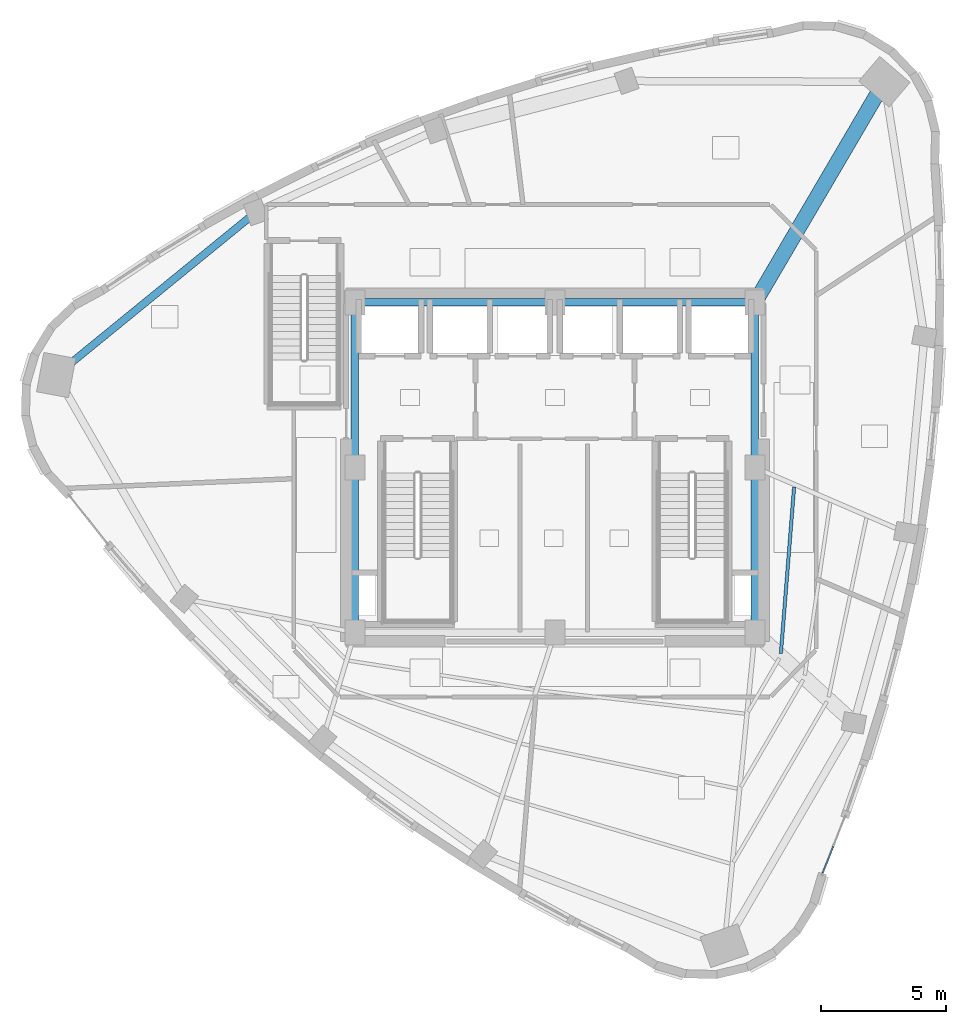
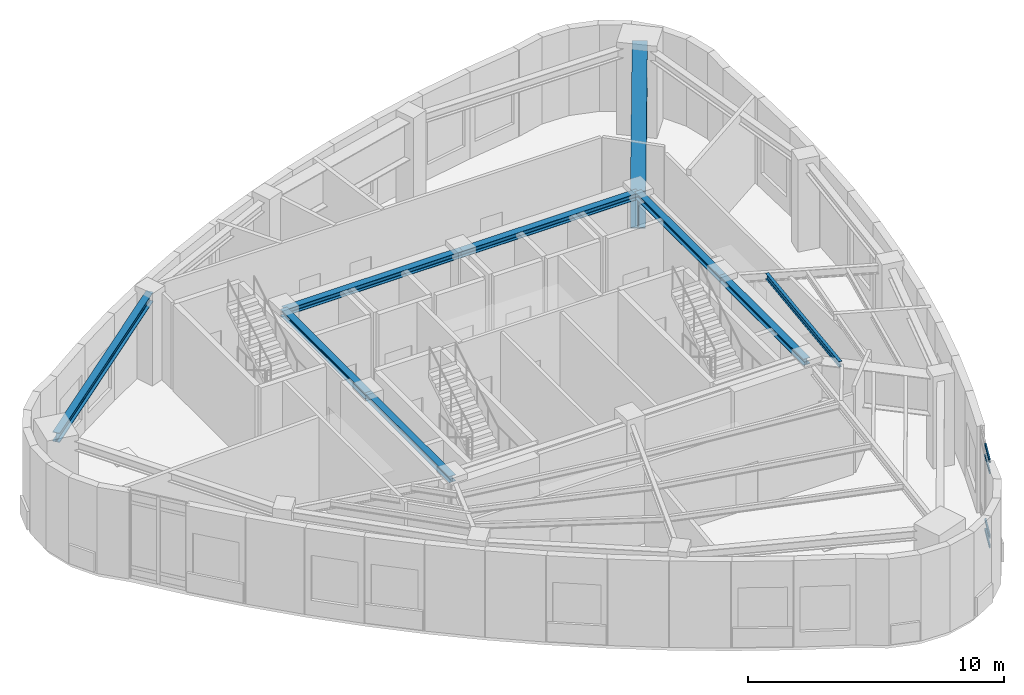
# One storey, part 5 of 14: 9 beams, 4 members, 1 element without a shape of its own.
"""IFC4 building model written with IfcOpenShell, lengths in metres."""

from ifc_helpers import new_model, si_unit, direction, frame, origin, origin_2d, place, context, subcontext, project, spatial, hollow_rectangle, i_section, extrude, material, layer, layer_set, material_profile, profile_set, type_object, element, aggregate, save


model = new_model("IFC4")

# Units and contexts
model_context = context("Model", 3, precision=1e-05, world=origin(), true_north=direction((0.0, 1.0)))
body_context = subcontext(model_context, "Body", "Model", "MODEL_VIEW")
ifc_project = project(units=[si_unit("LENGTHUNIT", "METRE"), si_unit("AREAUNIT", "SQUARE_METRE"), si_unit("VOLUMEUNIT", "CUBIC_METRE"), si_unit("PLANEANGLEUNIT", "RADIAN"), si_unit("MASSUNIT", "GRAM", prefix="KILO")], contexts=[model_context])

# Site, building, storey
site_placement = place(None, origin())
site = spatial("IfcSite", under=ifc_project, at=site_placement, CompositionType="ELEMENT")
building_placement = place(site_placement, origin())
building = spatial("IfcBuilding", under=site, at=building_placement, Name="Ndelora Gate Hotel", CompositionType="ELEMENT")
storey_placement = place(building_placement, frame((0.0, 0.0, 281.60009765625)))
storey = spatial("IfcBuildingStorey", under=building, at=storey_placement, Name="L70", CompositionType="ELEMENT", Elevation=281.60009765625)

# Beams
ifc_material_1 = material(Name="Steel S355", Category="steel")
ifc_material_profile_1 = material_profile(ifc_material_1, i_section(OverallWidth=0.300048828125, OverallDepth=0.300048828125, WebThickness=0.010986328125, FlangeThickness=0.01904296875, FilletRadius=0.027099609375, at=origin_2d()), Name="HEB 300")
ifc_profile_set_1 = profile_set([ifc_material_profile_1], Name="Steel S355")
beam_type_1 = type_object("IfcBeamType", Name="BM-CORE-300", PredefinedType="BEAM", material=ifc_profile_set_1)
for number, where, z_axis, x_axis, name in (
    (1, (-8.0, 6.60009765625, 3.97998046875), (1.0, 0.0, 0.0), (0.0, 1.0, 0.0), "L70 Core Tie Girder CC7-CC6"),
    (2, (0.0, 6.60009765625, 3.97998046875), (1.0, 0.0, 0.0), (0.0, 1.0, 0.0), "L70 Core Tie Girder CC6-CC5"),
):
    element("IfcBeam", number, at=place(storey_placement, frame(where, z_axis=z_axis, x_axis=x_axis)), inside=storey, type_object=beam_type_1, Name=name, PredefinedType="BEAM", context=body_context, shape_type="SweptSolid", body=[
        extrude(i_section(OverallWidth=0.300048828125, OverallDepth=0.300048828125, WebThickness=0.010986328125, FlangeThickness=0.01904296875, FilletRadius=0.027099609375, at=origin_2d()), origin(), (0.0, 0.0, 1.0), 8.0),
    ])
for number, where, z_axis, x_axis, name in (
    (3, (-8.0, -6.60009765625, 3.97998046875), (0.0, 1.0, 0.0), (-1.0, 0.0, 0.0), "L70 Core Tie Girder CC1-CC8"),
    (4, (-8.0, 0.0, 3.97998046875), (0.0, 1.0, 0.0), (-1.0, 0.0, 0.0), "L70 Core Tie Girder CC8-CC7"),
    (5, (8.0, -6.60009765625, 3.97998046875), (0.0, 1.0, 0.0), (-1.0, 0.0, 0.0), "L70 Core Tie Girder CC3-CC4"),
    (6, (8.0, 0.0, 3.97998046875), (0.0, 1.0, 0.0), (-1.0, 0.0, 0.0), "L70 Core Tie Girder CC4-CC5"),
):
    element("IfcBeam", number, at=place(storey_placement, frame(where, z_axis=z_axis, x_axis=x_axis)), inside=storey, type_object=beam_type_1, Name=name, PredefinedType="BEAM", context=body_context, shape_type="SweptSolid", body=[
        extrude(i_section(OverallWidth=0.300048828125, OverallDepth=0.300048828125, WebThickness=0.010986328125, FlangeThickness=0.01904296875, FilletRadius=0.027099609375, at=origin_2d()), origin(), (0.0, 0.0, 1.0), 6.60009765625),
    ])
ifc_material_profile_2 = material_profile(ifc_material_1, i_section(OverallWidth=0.135009765625, OverallDepth=0.27001953125, WebThickness=0.006591796875, FlangeThickness=0.01025390625, FilletRadius=0.014892578125, at=origin_2d()), Name="IPE 270")
ifc_profile_set_2 = profile_set([ifc_material_profile_2], Name="Steel S355")
beam_type_2 = type_object("IfcBeamType", Name="BM-JST-270", PredefinedType="JOIST", material=ifc_profile_set_2)
beam_1_placement = place(storey_placement, frame((9.03662109375, -7.439453125, 3.994873046875), z_axis=(0.079081730742, 0.996868135644, 0.0), x_axis=(-0.996868135644, 0.079081730742, 0.0)))
element("IfcBeam", 7, at=beam_1_placement, inside=storey, type_object=beam_type_2, Name="L70 Secondary Composite Floor Joist IN-6", PredefinedType="JOIST", context=body_context, shape_type="SweptSolid", body=[
    extrude(i_section(OverallWidth=0.135009765625, OverallDepth=0.27001953125, WebThickness=0.006591796875, FlangeThickness=0.01025390625, FilletRadius=0.014892578125, at=origin_2d()), origin(), (0.0, 0.0, 1.0), 6.683837890625),
])
ifc_material_profile_3 = material_profile(ifc_material_1, i_section(OverallWidth=0.300048828125, OverallDepth=0.449951171875, WebThickness=0.013916015625, FlangeThickness=0.02587890625, FilletRadius=0.027099609375, at=origin_2d()), Name="HEB 450")
ifc_profile_set_3 = profile_set([ifc_material_profile_3], Name="Steel S355")
beam_type_3 = type_object("IfcBeamType", Name="BM-RING-450", PredefinedType="SPANDREL", material=ifc_profile_set_3)
beam_2_placement = place(storey_placement, frame((-11.956787109375, 10.212158203125, 3.90478515625), z_axis=(-0.775154250258, -0.631772022416, 0.0), x_axis=(0.631772022416, -0.775154250258, 0.0)))
element("IfcBeam", 8, at=beam_2_placement, inside=storey, type_object=beam_type_3, Name="L70 Perimeter Spandrel Girder 12", PredefinedType="SPANDREL", context=body_context, shape_type="SweptSolid", body=[
    extrude(i_section(OverallWidth=0.300048828125, OverallDepth=0.449951171875, WebThickness=0.013916015625, FlangeThickness=0.02587890625, FilletRadius=0.027099609375, at=origin_2d()), origin(), (0.0, 0.0, 1.0), 10.311767578125),
])
ifc_material_2 = material(Name="Steel S460", Category="steel")
ifc_material_profile_4 = material_profile(ifc_material_2, i_section(OverallWidth=0.60009765625, OverallDepth=1.800048828125, WebThickness=0.028076171875, FlangeThickness=0.0400390625, FilletRadius=0.02392578125, at=origin_2d()), Name="PG 1800x600x40")
ifc_profile_set_4 = profile_set([ifc_material_profile_4], Name="Steel S460")
beam_type_4 = type_object("IfcBeamType", Name="BM-TR-1800", PredefinedType="BEAM", material=ifc_profile_set_4)
beam_3_placement = place(storey_placement, frame((8.0, 6.60009765625, 3.219970703125), z_axis=(0.505846833852, 0.862623313319, 0.0), x_axis=(-0.862623313319, 0.505846833852, 0.0)))
element("IfcBeam", 9, at=beam_3_placement, inside=storey, type_object=beam_type_4, Name="L70 structural beam TG-1", PredefinedType="BEAM", context=body_context, shape_type="SweptSolid", body=[
    extrude(i_section(OverallWidth=0.60009765625, OverallDepth=1.800048828125, WebThickness=0.028076171875, FlangeThickness=0.0400390625, FilletRadius=0.02392578125, at=origin_2d()), origin(), (0.0, 0.0, 1.0), 10.234375),
])

# Curtain wall, members
ifc_material_3 = material(Name="Bronze Anodised Unitised Aluminium and Low-E Glass", Category="aluminium")
ifc_layer = layer(ifc_material_3, 0.219970703125)
ifc_layer_set = layer_set([ifc_layer], Name="Bronze Anodised Unitised Aluminium and Low-E Glass")
curtain_wall_type = type_object("IfcCurtainWallType", Name="CW-SYS-6", PredefinedType="NOTDEFINED", material=ifc_layer_set)
curtain_wall_placement = place(storey_placement, origin())
curtain_wall = element("IfcCurtainWall", 10, at=curtain_wall_placement, inside=storey, type_object=curtain_wall_type, Name="L70 Crown Sky-Restaurant & Cocktail Bar Curtain Wall 2", PredefinedType="NOTDEFINED")
ifc_material_4 = material(Name="Bronze Anodised Aluminium 6063-T6", Category="aluminium")
ifc_material_profile_5 = material_profile(ifc_material_4, hollow_rectangle(XDim=0.06494140625, YDim=0.159912109375, WallThickness=0.00390625, InnerFilletRadius=0.00390625, OuterFilletRadius=0.008056640625, at=origin_2d()), Name="ALU 160x65x4")
ifc_profile_set_5 = profile_set([ifc_material_profile_5], Name="Bronze Anodised Aluminium 6063-T6")
member_type = type_object("IfcMemberType", Name="MB-CW-TRN150", PredefinedType="USERDEFINED", material=ifc_profile_set_5)
member_1_placement = place(storey_placement, frame((10.708251953125, -16.222900390625, 0.032470703125), z_axis=(0.367658889371, 0.929960720174, 0.0), x_axis=(-0.929960720174, 0.367658889371, 0.0)))
member_1 = element("IfcMember", 11, at=member_1_placement, type_object=member_type, Name="CW6 transom 1.1", ObjectType="TRANSOM", PredefinedType="USERDEFINED", context=body_context, shape_type="SweptSolid", body=[
    extrude(hollow_rectangle(XDim=0.06494140625, YDim=0.159912109375, WallThickness=0.00390625, InnerFilletRadius=0.00390625, OuterFilletRadius=0.008056640625, at=origin_2d()), origin(), (0.0, 0.0, 1.0), 1.162841796875),
])
member_2_placement = place(storey_placement, frame((10.708251953125, -16.222900390625, 0.5), z_axis=(0.367658889371, 0.929960720174, 0.0), x_axis=(-0.929960720174, 0.367658889371, 0.0)))
member_2 = element("IfcMember", 12, at=member_2_placement, type_object=member_type, Name="CW6 transom 1.2", ObjectType="TRANSOM", PredefinedType="USERDEFINED", context=body_context, shape_type="SweptSolid", body=[
    extrude(hollow_rectangle(XDim=0.06494140625, YDim=0.159912109375, WallThickness=0.00390625, InnerFilletRadius=0.00390625, OuterFilletRadius=0.008056640625, at=origin_2d()), origin(), (0.0, 0.0, 1.0), 1.162841796875),
])
member_3_placement = place(storey_placement, frame((10.708251953125, -16.222900390625, 3.579833984375), z_axis=(0.367658889371, 0.929960720174, 0.0), x_axis=(-0.929960720174, 0.367658889371, 0.0)))
member_3 = element("IfcMember", 13, at=member_3_placement, type_object=member_type, Name="CW6 transom 1.3", ObjectType="TRANSOM", PredefinedType="USERDEFINED", context=body_context, shape_type="SweptSolid", body=[
    extrude(hollow_rectangle(XDim=0.06494140625, YDim=0.159912109375, WallThickness=0.00390625, InnerFilletRadius=0.00390625, OuterFilletRadius=0.008056640625, at=origin_2d()), origin(), (0.0, 0.0, 1.0), 1.162841796875),
])
member_4_placement = place(storey_placement, frame((10.708251953125, -16.222900390625, 4.097412109375), z_axis=(0.367658889371, 0.929960720174, 0.0), x_axis=(-0.929960720174, 0.367658889371, 0.0)))
member_4 = element("IfcMember", 14, at=member_4_placement, type_object=member_type, Name="CW6 transom 1.4", ObjectType="TRANSOM", PredefinedType="USERDEFINED", context=body_context, shape_type="SweptSolid", body=[
    extrude(hollow_rectangle(XDim=0.06494140625, YDim=0.159912109375, WallThickness=0.00390625, InnerFilletRadius=0.00390625, OuterFilletRadius=0.008056640625, at=origin_2d()), origin(), (0.0, 0.0, 1.0), 1.162841796875),
])
aggregate(curtain_wall, [member_1, member_2, member_3, member_4])

save(model, "model.ifc")
